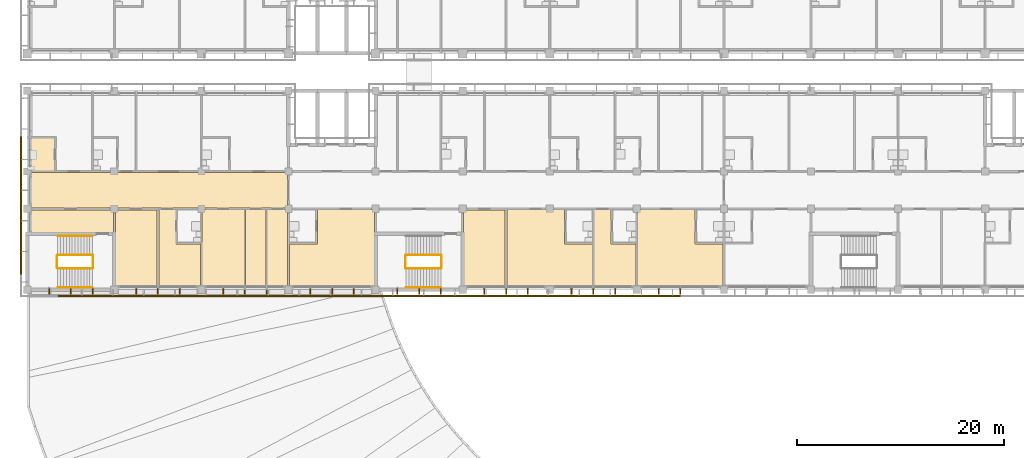
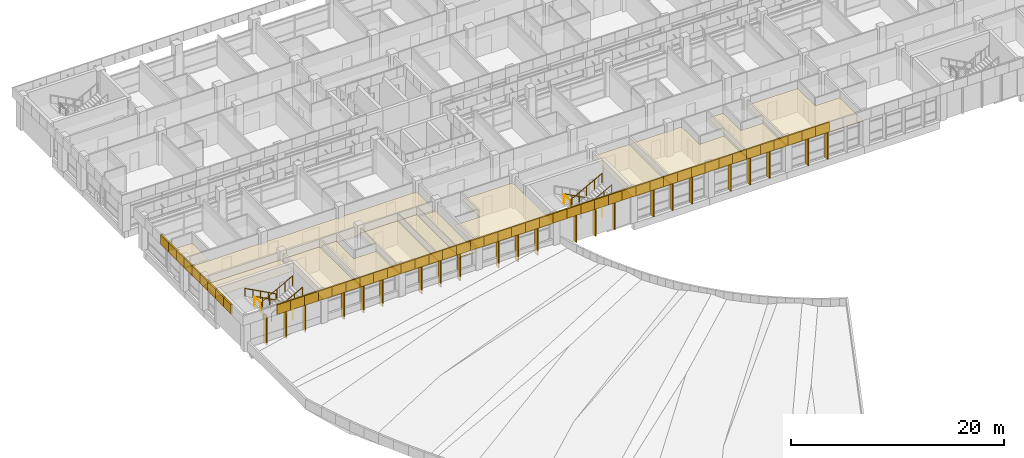
# One storey, part 63 of 74: 62 coverings, 23 shading devices, 11 railings.
"""IFC4 building model written with IfcOpenShell, lengths in metres."""

from ifc_helpers import new_model, si_unit, direction, frame, origin, origin_2d, place, context, subcontext, project, spatial, polyline, rectangle, circle, outline, extrude, material, layer, layer_set, material_profile, profile_set, type_object, element, save


model = new_model("IFC4")

# Units and contexts
model_context = context("Model", 3, precision=1e-05, world=origin(), true_north=direction((0.0, 1.0)))
body_context = subcontext(model_context, "Body", "Model", "MODEL_VIEW")
ifc_project = project(units=[si_unit("LENGTHUNIT", "METRE"), si_unit("AREAUNIT", "SQUARE_METRE"), si_unit("VOLUMEUNIT", "CUBIC_METRE"), si_unit("PLANEANGLEUNIT", "RADIAN"), si_unit("MASSUNIT", "GRAM", prefix="KILO")], contexts=[model_context])

# Site, building, storey
site_placement = place(None, origin())
site = spatial("IfcSite", under=ifc_project, at=site_placement, CompositionType="ELEMENT")
building_placement = place(site_placement, origin())
building = spatial("IfcBuilding", under=site, at=building_placement, Name="Bougainvillea Quay General Hospital", CompositionType="ELEMENT")
storey_placement = place(building_placement, frame((0.0, 0.0, 21.0)))
storey = spatial("IfcBuildingStorey", under=building, at=storey_placement, Name="L04", CompositionType="ELEMENT", Elevation=21.0)

# Coverings
ifc_material_1 = material(Name="Powder-coated aluminium fascia, white", Category="aluminium")
ifc_layer_1 = layer(ifc_material_1, 0.14990234375)
ifc_layer_set_1 = layer_set([ifc_layer_1], Name="Powder-coated aluminium fascia, white")
covering_type_1 = type_object("IfcCoveringType", Name="Aluminium fascia band white 150x1100", PredefinedType="CLADDING", material=ifc_layer_set_1)
covering_1_placement = place(storey_placement, frame((41.449951171875, 132.369140625, 3.35009765625), z_axis=(0.0, 0.0, 1.0), x_axis=(0.0, -1.0, 0.0)))
element("IfcCovering", 1, at=covering_1_placement, inside=storey, type_object=covering_type_1, Name="Fascia band white e0 4", PredefinedType="CLADDING", context=body_context, shape_type="SweptSolid", body=[
    extrude(outline(polyline([(0.0, 0.0), (1.476806640625, 0.0), (1.476806640625, -0.14990234375), (0.0, -0.14990234375), (0.0, 0.0)])), origin(), (0.0, 0.0, 1.0), 1.10009765625),
])
covering_2_placement = place(storey_placement, frame((41.449951171875, 130.892333984375, 3.35009765625), z_axis=(0.0, 0.0, 1.0), x_axis=(0.0, -1.0, 0.0)))
element("IfcCovering", 2, at=covering_2_placement, inside=storey, type_object=covering_type_1, Name="Fascia band white e0 5", PredefinedType="CLADDING", context=body_context, shape_type="SweptSolid", body=[
    extrude(outline(polyline([(0.0, 0.0), (1.47705078125, 0.0), (1.47705078125, -0.14990234375), (0.0, -0.14990234375), (0.0, 0.0)])), origin(), (0.0, 0.0, 1.0), 1.10009765625),
])
covering_3_placement = place(storey_placement, frame((41.449951171875, 129.415283203125, 3.35009765625), z_axis=(0.0, 0.0, 1.0), x_axis=(0.0, -1.0, 0.0)))
element("IfcCovering", 3, at=covering_3_placement, inside=storey, type_object=covering_type_1, Name="Fascia band white e0 6", PredefinedType="CLADDING", context=body_context, shape_type="SweptSolid", body=[
    extrude(outline(polyline([(0.0, 0.0), (1.476806640625, 0.0), (1.476806640625, -0.14990234375), (0.0, -0.14990234375), (0.0, 0.0)])), origin(), (0.0, 0.0, 1.0), 1.10009765625),
])
covering_4_placement = place(storey_placement, frame((41.449951171875, 127.9384765625, 3.35009765625), z_axis=(0.0, 0.0, 1.0), x_axis=(0.0, -1.0, 0.0)))
element("IfcCovering", 4, at=covering_4_placement, inside=storey, type_object=covering_type_1, Name="Fascia band white e0 7", PredefinedType="CLADDING", context=body_context, shape_type="SweptSolid", body=[
    extrude(outline(polyline([(0.0, 0.0), (1.47705078125, 0.0), (1.47705078125, -0.14990234375), (0.0, -0.14990234375), (0.0, 0.0)])), origin(), (0.0, 0.0, 1.0), 1.10009765625),
])
for number, where, z_axis, x_axis, name in (
    (5, (41.449951171875, 126.46142578125, 3.35009765625), (0.0, 0.0, 1.0), (0.0, -1.0, 0.0), "Fascia band white e0 8"),
    (6, (41.449951171875, 124.984619140625, 3.35009765625), (0.0, 0.0, 1.0), (0.0, -1.0, 0.0), "Fascia band white e0 9"),
):
    element("IfcCovering", number, at=place(storey_placement, frame(where, z_axis=z_axis, x_axis=x_axis)), inside=storey, type_object=covering_type_1, Name=name, PredefinedType="CLADDING", context=body_context, shape_type="SweptSolid", body=[
        extrude(outline(polyline([(0.0, 0.0), (1.476806640625, 0.0), (1.476806640625, -0.14990234375), (0.0, -0.14990234375), (0.0, 0.0)])), origin(), (0.0, 0.0, 1.0), 1.10009765625),
    ])
covering_5_placement = place(storey_placement, frame((41.449951171875, 123.5078125, 3.35009765625), z_axis=(0.0, 0.0, 1.0), x_axis=(0.0, -1.0, 0.0)))
element("IfcCovering", 7, at=covering_5_placement, inside=storey, type_object=covering_type_1, Name="Fascia band white e0 10", PredefinedType="CLADDING", context=body_context, shape_type="SweptSolid", body=[
    extrude(outline(polyline([(0.0, 0.0), (1.47705078125, 0.0), (1.47705078125, -0.14990234375), (0.0, -0.14990234375), (0.0, 0.0)])), origin(), (0.0, 0.0, 1.0), 1.10009765625),
])
covering_6_placement = place(storey_placement, frame((41.449951171875, 122.03076171875, 3.35009765625), z_axis=(0.0, 0.0, 1.0), x_axis=(0.0, -1.0, 0.0)))
element("IfcCovering", 8, at=covering_6_placement, inside=storey, type_object=covering_type_1, Name="Fascia band white e0 11", PredefinedType="CLADDING", context=body_context, shape_type="SweptSolid", body=[
    extrude(outline(polyline([(0.0, 0.0), (1.476806640625, 0.0), (1.476806640625, -0.14990234375), (0.0, -0.14990234375), (0.0, 0.0)])), origin(), (0.0, 0.0, 1.0), 1.10009765625),
])
covering_7_placement = place(storey_placement, frame((41.449951171875, 120.553955078125, 3.35009765625), z_axis=(0.0, 0.0, 1.0), x_axis=(0.0, -1.0, 0.0)))
element("IfcCovering", 9, at=covering_7_placement, inside=storey, type_object=covering_type_1, Name="Fascia band white e0 12", PredefinedType="CLADDING", context=body_context, shape_type="SweptSolid", body=[
    extrude(outline(polyline([(0.0, 0.0), (1.47705078125, 0.0), (1.47705078125, -0.14990234375), (0.0, -0.14990234375), (0.0, 0.0)])), origin(), (0.0, 0.0, 1.0), 1.10009765625),
])
for number, where, z_axis, x_axis, name in (
    (10, (45.0, 117.050048828125, 3.35009765625), (0.0, 0.0, 1.0), (1.0, 0.0, 0.0), "Fascia band white e0 16"),
    (11, (46.5, 117.050048828125, 3.35009765625), (0.0, 0.0, 1.0), (1.0, 0.0, 0.0), "Fascia band white e0 17"),
    (12, (48.0, 117.050048828125, 3.35009765625), (0.0, 0.0, 1.0), (1.0, 0.0, 0.0), "Fascia band white e0 18"),
    (13, (49.5, 117.050048828125, 3.35009765625), (0.0, 0.0, 1.0), (1.0, 0.0, 0.0), "Fascia band white e0 19"),
    (14, (51.0, 117.050048828125, 3.35009765625), (0.0, 0.0, 1.0), (1.0, 0.0, 0.0), "Fascia band white e0 20"),
    (15, (52.5, 117.050048828125, 3.35009765625), (0.0, 0.0, 1.0), (1.0, 0.0, 0.0), "Fascia band white e0 21"),
    (16, (54.0, 117.050048828125, 3.35009765625), (0.0, 0.0, 1.0), (1.0, 0.0, 0.0), "Fascia band white e0 22"),
    (17, (55.5, 117.050048828125, 3.35009765625), (0.0, 0.0, 1.0), (1.0, 0.0, 0.0), "Fascia band white e0 23"),
    (18, (57.0, 117.050048828125, 3.35009765625), (0.0, 0.0, 1.0), (1.0, 0.0, 0.0), "Fascia band white e0 24"),
    (19, (58.5, 117.050048828125, 3.35009765625), (0.0, 0.0, 1.0), (1.0, 0.0, 0.0), "Fascia band white e0 25"),
    (20, (60.0, 117.050048828125, 3.35009765625), (0.0, 0.0, 1.0), (1.0, 0.0, 0.0), "Fascia band white e0 26"),
    (21, (61.5, 117.050048828125, 3.35009765625), (0.0, 0.0, 1.0), (1.0, 0.0, 0.0), "Fascia band white e0 27"),
    (22, (63.0, 117.050048828125, 3.35009765625), (0.0, 0.0, 1.0), (1.0, 0.0, 0.0), "Fascia band white e0 28"),
    (23, (64.5, 117.050048828125, 3.35009765625), (0.0, 0.0, 1.0), (1.0, 0.0, 0.0), "Fascia band white e0 29"),
    (24, (66.0, 117.050048828125, 3.35009765625), (0.0, 0.0, 1.0), (1.0, 0.0, 0.0), "Fascia band white e0 30"),
    (25, (67.5, 117.050048828125, 3.35009765625), (0.0, 0.0, 1.0), (1.0, 0.0, 0.0), "Fascia band white e0 31"),
    (26, (69.0, 117.050048828125, 3.35009765625), (0.0, 0.0, 1.0), (1.0, 0.0, 0.0), "Fascia band white e0 32"),
    (27, (70.5, 117.050048828125, 3.35009765625), (0.0, 0.0, 1.0), (1.0, 0.0, 0.0), "Fascia band white e0 33"),
    (28, (72.0, 117.050048828125, 3.35009765625), (0.0, 0.0, 1.0), (1.0, 0.0, 0.0), "Fascia band white e0 34"),
    (29, (73.5, 117.050048828125, 3.35009765625), (0.0, 0.0, 1.0), (1.0, 0.0, 0.0), "Fascia band white e0 35"),
    (30, (75.0, 117.050048828125, 3.35009765625), (0.0, 0.0, 1.0), (1.0, 0.0, 0.0), "Fascia band white e0 36"),
    (31, (76.5, 117.050048828125, 3.35009765625), (0.0, 0.0, 1.0), (1.0, 0.0, 0.0), "Fascia band white e0 37"),
    (32, (78.0, 117.050048828125, 3.35009765625), (0.0, 0.0, 1.0), (1.0, 0.0, 0.0), "Fascia band white e0 38"),
    (33, (79.5, 117.050048828125, 3.35009765625), (0.0, 0.0, 1.0), (1.0, 0.0, 0.0), "Fascia band white e0 39"),
    (34, (81.0, 117.050048828125, 3.35009765625), (0.0, 0.0, 1.0), (1.0, 0.0, 0.0), "Fascia band white e0 40"),
    (35, (82.5, 117.050048828125, 3.35009765625), (0.0, 0.0, 1.0), (1.0, 0.0, 0.0), "Fascia band white e0 41"),
    (36, (84.0, 117.050048828125, 3.35009765625), (0.0, 0.0, 1.0), (1.0, 0.0, 0.0), "Fascia band white e0 42"),
    (37, (85.5, 117.050048828125, 3.35009765625), (0.0, 0.0, 1.0), (1.0, 0.0, 0.0), "Fascia band white e0 43"),
    (38, (87.0, 117.050048828125, 3.35009765625), (0.0, 0.0, 1.0), (1.0, 0.0, 0.0), "Fascia band white e0 44"),
    (39, (88.5, 117.050048828125, 3.35009765625), (0.0, 0.0, 1.0), (1.0, 0.0, 0.0), "Fascia band white e0 45"),
    (40, (90.0, 117.050048828125, 3.35009765625), (0.0, 0.0, 1.0), (1.0, 0.0, 0.0), "Fascia band white e0 46"),
    (41, (91.5, 117.050048828125, 3.35009765625), (0.0, 0.0, 1.0), (1.0, 0.0, 0.0), "Fascia band white e0 47"),
    (42, (93.0, 117.050048828125, 3.35009765625), (0.0, 0.0, 1.0), (1.0, 0.0, 0.0), "Fascia band white e0 48"),
    (43, (94.5, 117.050048828125, 3.35009765625), (0.0, 0.0, 1.0), (1.0, 0.0, 0.0), "Fascia band white e0 49"),
    (44, (96.0, 117.050048828125, 3.35009765625), (0.0, 0.0, 1.0), (1.0, 0.0, 0.0), "Fascia band white e0 50"),
    (45, (97.5, 117.050048828125, 3.35009765625), (0.0, 0.0, 1.0), (1.0, 0.0, 0.0), "Fascia band white e0 51"),
    (46, (99.0, 117.050048828125, 3.35009765625), (0.0, 0.0, 1.0), (1.0, 0.0, 0.0), "Fascia band white e0 52"),
    (47, (100.5, 117.050048828125, 3.35009765625), (0.0, 0.0, 1.0), (1.0, 0.0, 0.0), "Fascia band white e0 53"),
    (48, (102.0, 117.050048828125, 3.35009765625), (0.0, 0.0, 1.0), (1.0, 0.0, 0.0), "Fascia band white e0 54"),
    (49, (103.5, 117.050048828125, 3.35009765625), (0.0, 0.0, 1.0), (1.0, 0.0, 0.0), "Fascia band white e0 55"),
):
    element("IfcCovering", number, at=place(storey_placement, frame(where, z_axis=z_axis, x_axis=x_axis)), inside=storey, type_object=covering_type_1, Name=name, PredefinedType="CLADDING", context=body_context, shape_type="SweptSolid", body=[
        extrude(outline(polyline([(0.0, 0.0), (1.5, 0.0), (1.5, -0.150146484375), (0.0, -0.150146484375), (0.0, 0.0)])), origin(), (0.0, 0.0, 1.0), 1.10009765625),
    ])

# Railings
ifc_material_2 = material(Name="Stainless steel 304 balustrade", Category="steel")
railing_type_1 = type_object("IfcRailingType", Name="Stair guard 1100", PredefinedType="GUARDRAIL", material=ifc_material_2)
railing_1_placement = place(storey_placement, frame((48.300048828125, 120.949951171875, 0.14990234375)))
element("IfcRailing", 50, at=railing_1_placement, inside=storey, type_object=railing_type_1, Name="L04 ST-B1 stair guard 1", PredefinedType="GUARDRAIL", context=body_context, shape_type="SweptSolid", body=[
    extrude(circle(Radius=0.02392578125, at=origin_2d()), frame((0.0, 0.0, 1.076171875), z_axis=(-0.881480922165, 0.0, 0.47221963519), x_axis=(0.0, -1.0, 0.0)), (0.0, 0.0, 1.0), 3.811767578125),
    extrude(circle(Radius=0.02099609375, at=origin_2d()), origin(), (0.0, 0.0, 1.0), 1.052001953125),
    extrude(circle(Radius=0.02099609375, at=origin_2d()), frame((-0.840087890625, 0.0, 0.449951171875)), (0.0, 0.0, 1.0), 1.052001953125),
    extrude(circle(Radius=0.02099609375, at=origin_2d()), frame((-1.68017578125, 0.0, 0.89990234375)), (0.0, 0.0, 1.0), 1.052001953125),
    extrude(circle(Radius=0.02099609375, at=origin_2d()), frame((-2.52001953125, 0.0, 1.35009765625)), (0.0, 0.0, 1.0), 1.052001953125),
    extrude(circle(Radius=0.02099609375, at=origin_2d()), frame((-3.360107421875, 0.0, 1.800048828125)), (0.0, 0.0, 1.0), 1.052001953125),
])
railing_2_placement = place(storey_placement, frame((44.889892578125, 120.89990234375, 1.949951171875)))
element("IfcRailing", 51, at=railing_2_placement, inside=storey, type_object=railing_type_1, Name="L04 ST-B1 stair guard 2", PredefinedType="GUARDRAIL", context=body_context, shape_type="SweptSolid", body=[
    extrude(circle(Radius=0.02392578125, at=origin_2d()), frame((0.0, 0.0, 1.076171875), z_axis=(0.0, -1.0, 0.0), x_axis=(1.0, 0.0, 0.0)), (0.0, 0.0, 1.0), 1.199951171875),
    extrude(circle(Radius=0.02099609375, at=origin_2d()), origin(), (0.0, 0.0, 1.0), 1.052001953125),
    extrude(circle(Radius=0.02099609375, at=origin_2d()), frame((0.0, -1.199951171875, 0.0)), (0.0, 0.0, 1.0), 1.052001953125),
])
railing_3_placement = place(storey_placement, frame((44.93994140625, 119.64990234375, 2.10009765625)))
element("IfcRailing", 52, at=railing_3_placement, inside=storey, type_object=railing_type_1, Name="L04 ST-B1 stair guard 3", PredefinedType="GUARDRAIL", context=body_context, shape_type="SweptSolid", body=[
    extrude(circle(Radius=0.02392578125, at=origin_2d()), frame((0.0, 0.0, 1.076171875), z_axis=(0.881507581359, 0.0, 0.472169867745), x_axis=(0.0, 1.0, 0.0)), (0.0, 0.0, 1.0), 3.811767578125),
    extrude(circle(Radius=0.02099609375, at=origin_2d()), origin(), (0.0, 0.0, 1.0), 1.052001953125),
    extrude(circle(Radius=0.02099609375, at=origin_2d()), frame((0.840087890625, 0.0, 0.449951171875)), (0.0, 0.0, 1.0), 1.052001953125),
    extrude(circle(Radius=0.02099609375, at=origin_2d()), frame((1.68017578125, 0.0, 0.89990234375)), (0.0, 0.0, 1.0), 1.052001953125),
    extrude(circle(Radius=0.02099609375, at=origin_2d()), frame((2.52001953125, 0.0, 1.349853515625)), (0.0, 0.0, 1.0), 1.052001953125),
    extrude(circle(Radius=0.02099609375, at=origin_2d()), frame((3.360107421875, 0.0, 1.7998046875)), (0.0, 0.0, 1.0), 1.052001953125),
])
railing_4_placement = place(storey_placement, frame((48.35009765625, 120.89990234375, 0.0)))
element("IfcRailing", 53, at=railing_4_placement, inside=storey, type_object=railing_type_1, Name="L04 ST-B1 stair guard 4", PredefinedType="GUARDRAIL", context=body_context, shape_type="SweptSolid", body=[
    extrude(circle(Radius=0.02392578125, at=origin_2d()), frame((0.0, 0.0, 1.076171875), z_axis=(0.0, -1.0, 0.0), x_axis=(1.0, 0.0, 0.0)), (0.0, 0.0, 1.0), 1.199951171875),
    extrude(circle(Radius=0.02099609375, at=origin_2d()), origin(), (0.0, 0.0, 1.0), 1.052001953125),
    extrude(circle(Radius=0.02099609375, at=origin_2d()), frame((0.0, -1.199951171875, 0.0)), (0.0, 0.0, 1.0), 1.052001953125),
])
railing_5_placement = place(storey_placement, frame((81.89990234375, 120.949951171875, 0.14990234375)))
element("IfcRailing", 54, at=railing_5_placement, inside=storey, type_object=railing_type_1, Name="L04 ST-B2 stair guard 1", PredefinedType="GUARDRAIL", context=body_context, shape_type="SweptSolid", body=[
    extrude(circle(Radius=0.02392578125, at=origin_2d()), frame((0.0, 0.0, 1.076171875), z_axis=(-0.881466638993, 0.0, 0.472246296272), x_axis=(0.0, -1.0, 0.0)), (0.0, 0.0, 1.0), 3.811767578125),
    extrude(circle(Radius=0.02099609375, at=origin_2d()), origin(), (0.0, 0.0, 1.0), 1.052001953125),
    extrude(circle(Radius=0.02099609375, at=origin_2d()), frame((-0.83984375, 0.0, 0.449951171875)), (0.0, 0.0, 1.0), 1.052001953125),
    extrude(circle(Radius=0.02099609375, at=origin_2d()), frame((-1.679931640625, 0.0, 0.89990234375)), (0.0, 0.0, 1.0), 1.052001953125),
    extrude(circle(Radius=0.02099609375, at=origin_2d()), frame((-2.52001953125, 0.0, 1.35009765625)), (0.0, 0.0, 1.0), 1.052001953125),
    extrude(circle(Radius=0.02099609375, at=origin_2d()), frame((-3.35986328125, 0.0, 1.800048828125)), (0.0, 0.0, 1.0), 1.052001953125),
])
railing_6_placement = place(storey_placement, frame((78.489990234375, 120.89990234375, 1.949951171875)))
element("IfcRailing", 55, at=railing_6_placement, inside=storey, type_object=railing_type_1, Name="L04 ST-B2 stair guard 2", PredefinedType="GUARDRAIL", context=body_context, shape_type="SweptSolid", body=[
    extrude(circle(Radius=0.02392578125, at=origin_2d()), frame((0.0, 0.0, 1.076171875), z_axis=(0.0, -1.0, 0.0), x_axis=(1.0, 0.0, 0.0)), (0.0, 0.0, 1.0), 1.199951171875),
    extrude(circle(Radius=0.02099609375, at=origin_2d()), origin(), (0.0, 0.0, 1.0), 1.052001953125),
    extrude(circle(Radius=0.02099609375, at=origin_2d()), frame((0.0, -1.199951171875, 0.0)), (0.0, 0.0, 1.0), 1.052001953125),
])
railing_7_placement = place(storey_placement, frame((78.5400390625, 119.64990234375, 2.10009765625)))
element("IfcRailing", 56, at=railing_7_placement, inside=storey, type_object=railing_type_1, Name="L04 ST-B2 stair guard 3", PredefinedType="GUARDRAIL", context=body_context, shape_type="SweptSolid", body=[
    extrude(circle(Radius=0.02392578125, at=origin_2d()), frame((0.0, 0.0, 1.076171875), z_axis=(0.881493300765, 0.0, 0.47219652763), x_axis=(0.0, 1.0, 0.0)), (0.0, 0.0, 1.0), 3.8115234375),
    extrude(circle(Radius=0.02099609375, at=origin_2d()), origin(), (0.0, 0.0, 1.0), 1.052001953125),
    extrude(circle(Radius=0.02099609375, at=origin_2d()), frame((0.83984375, 0.0, 0.449951171875)), (0.0, 0.0, 1.0), 1.052001953125),
    extrude(circle(Radius=0.02099609375, at=origin_2d()), frame((1.679931640625, 0.0, 0.89990234375)), (0.0, 0.0, 1.0), 1.052001953125),
    extrude(circle(Radius=0.02099609375, at=origin_2d()), frame((2.52001953125, 0.0, 1.349853515625)), (0.0, 0.0, 1.0), 1.052001953125),
    extrude(circle(Radius=0.02099609375, at=origin_2d()), frame((3.35986328125, 0.0, 1.7998046875)), (0.0, 0.0, 1.0), 1.052001953125),
])
railing_8_placement = place(storey_placement, frame((81.949951171875, 120.89990234375, 0.0)))
element("IfcRailing", 57, at=railing_8_placement, inside=storey, type_object=railing_type_1, Name="L04 ST-B2 stair guard 4", PredefinedType="GUARDRAIL", context=body_context, shape_type="SweptSolid", body=[
    extrude(circle(Radius=0.02392578125, at=origin_2d()), frame((0.0, 0.0, 1.076171875), z_axis=(0.0, -1.0, 0.0), x_axis=(1.0, 0.0, 0.0)), (0.0, 0.0, 1.0), 1.199951171875),
    extrude(circle(Radius=0.02099609375, at=origin_2d()), origin(), (0.0, 0.0, 1.0), 1.052001953125),
    extrude(circle(Radius=0.02099609375, at=origin_2d()), frame((0.0, -1.199951171875, 0.0)), (0.0, 0.0, 1.0), 1.052001953125),
])
ifc_material_3 = material(Name="Stainless steel 304 handrail", Category="steel")
railing_type_2 = type_object("IfcRailingType", Name="Stair handrail 900", PredefinedType="HANDRAIL", material=ifc_material_3)
railing_9_placement = place(storey_placement, frame((48.300048828125, 122.77490234375, 0.14990234375)))
element("IfcRailing", 58, at=railing_9_placement, inside=storey, type_object=railing_type_2, Name="L04 ST-B1 stair handrail 1", PredefinedType="HANDRAIL", context=body_context, shape_type="SweptSolid", body=[
    extrude(circle(Radius=0.02392578125, at=origin_2d()), frame((0.0, 0.0, 0.8759765625), z_axis=(-0.881480922165, 0.0, 0.47221963519), x_axis=(0.0, -1.0, 0.0)), (0.0, 0.0, 1.0), 3.811767578125),
    extrude(circle(Radius=0.02099609375, at=origin_2d()), origin(), (0.0, 0.0, 1.0), 0.851806640625),
    extrude(circle(Radius=0.02099609375, at=origin_2d()), frame((-0.840087890625, 0.0, 0.449951171875)), (0.0, 0.0, 1.0), 0.851806640625),
    extrude(circle(Radius=0.02099609375, at=origin_2d()), frame((-1.68017578125, 0.0, 0.89990234375)), (0.0, 0.0, 1.0), 0.851806640625),
    extrude(circle(Radius=0.02099609375, at=origin_2d()), frame((-2.52001953125, 0.0, 1.35009765625)), (0.0, 0.0, 1.0), 0.851806640625),
    extrude(circle(Radius=0.02099609375, at=origin_2d()), frame((-3.360107421875, 0.0, 1.800048828125)), (0.0, 0.0, 1.0), 0.851806640625),
])
railing_10_placement = place(storey_placement, frame((44.93994140625, 117.824951171875, 2.10009765625)))
element("IfcRailing", 59, at=railing_10_placement, inside=storey, type_object=railing_type_2, Name="L04 ST-B1 stair handrail 2", PredefinedType="HANDRAIL", context=body_context, shape_type="SweptSolid", body=[
    extrude(circle(Radius=0.02392578125, at=origin_2d()), frame((0.0, 0.0, 0.8759765625), z_axis=(0.881507581359, 0.0, 0.472169867745), x_axis=(0.0, 1.0, 0.0)), (0.0, 0.0, 1.0), 3.811767578125),
    extrude(circle(Radius=0.02099609375, at=origin_2d()), origin(), (0.0, 0.0, 1.0), 0.851806640625),
    extrude(circle(Radius=0.02099609375, at=origin_2d()), frame((0.840087890625, 0.0, 0.449951171875)), (0.0, 0.0, 1.0), 0.851806640625),
    extrude(circle(Radius=0.02099609375, at=origin_2d()), frame((1.68017578125, 0.0, 0.89990234375)), (0.0, 0.0, 1.0), 0.851806640625),
    extrude(circle(Radius=0.02099609375, at=origin_2d()), frame((2.52001953125, 0.0, 1.349853515625)), (0.0, 0.0, 1.0), 0.851806640625),
    extrude(circle(Radius=0.02099609375, at=origin_2d()), frame((3.360107421875, 0.0, 1.7998046875)), (0.0, 0.0, 1.0), 0.851806640625),
])
railing_11_placement = place(storey_placement, frame((78.5400390625, 117.824951171875, 2.10009765625)))
element("IfcRailing", 60, at=railing_11_placement, inside=storey, type_object=railing_type_2, Name="L04 ST-B2 stair handrail 2", PredefinedType="HANDRAIL", context=body_context, shape_type="SweptSolid", body=[
    extrude(circle(Radius=0.02392578125, at=origin_2d()), frame((0.0, 0.0, 0.8759765625), z_axis=(0.881493300765, 0.0, 0.47219652763), x_axis=(0.0, 1.0, 0.0)), (0.0, 0.0, 1.0), 3.8115234375),
    extrude(circle(Radius=0.02099609375, at=origin_2d()), origin(), (0.0, 0.0, 1.0), 0.851806640625),
    extrude(circle(Radius=0.02099609375, at=origin_2d()), frame((0.83984375, 0.0, 0.449951171875)), (0.0, 0.0, 1.0), 0.851806640625),
    extrude(circle(Radius=0.02099609375, at=origin_2d()), frame((1.679931640625, 0.0, 0.89990234375)), (0.0, 0.0, 1.0), 0.851806640625),
    extrude(circle(Radius=0.02099609375, at=origin_2d()), frame((2.52001953125, 0.0, 1.349853515625)), (0.0, 0.0, 1.0), 0.851806640625),
    extrude(circle(Radius=0.02099609375, at=origin_2d()), frame((3.35986328125, 0.0, 1.7998046875)), (0.0, 0.0, 1.0), 0.851806640625),
])

# Coverings
ifc_material_4 = material(Name="Mineral fibre ceiling tile")
ifc_layer_2 = layer(ifc_material_4, 0.030029296875)
ifc_layer_set_2 = layer_set([ifc_layer_2], Name="Mineral fibre ceiling tile")
covering_type_2 = type_object("IfcCoveringType", Name="Suspended ceiling mineral fibre tile", PredefinedType="CEILING", material=ifc_layer_set_2)
covering_8_placement = place(storey_placement, frame((0.0, 0.0, 2.699951171875)))
element("IfcCovering", 61, at=covering_8_placement, inside=storey, type_object=covering_type_2, Name="Ceiling Refuge Room RR-B1-L04", PredefinedType="CEILING", context=body_context, shape_type="SweptSolid", body=[
    extrude(outline(polyline([(54.5, 117.60009765625), (54.5, 125.300048828125), (50.5, 125.300048828125), (50.5, 117.60009765625), (54.5, 117.60009765625)])), origin(), (0.0, 0.0, 1.0), 0.030029296875),
])
covering_9_placement = place(storey_placement, frame((0.0, 0.0, 2.699951171875)))
element("IfcCovering", 62, at=covering_9_placement, inside=storey, type_object=covering_type_2, Name="Ceiling Refuge Room RR-B2-L04", PredefinedType="CEILING", context=body_context, shape_type="SweptSolid", body=[
    extrude(outline(polyline([(88.10009765625, 117.60009765625), (88.10009765625, 125.300048828125), (84.10009765625, 125.300048828125), (84.10009765625, 117.60009765625), (88.10009765625, 117.60009765625)])), origin(), (0.0, 0.0, 1.0), 0.030029296875),
])
covering_10_placement = place(storey_placement, frame((0.0, 0.0, 2.699951171875)))
element("IfcCovering", 63, at=covering_10_placement, inside=storey, type_object=covering_type_2, Name="Ceiling Smoke-proof Vestibule ST-B1", PredefinedType="CEILING", context=body_context, shape_type="SweptSolid", body=[
    extrude(outline(polyline([(42.0, 123.10009765625), (50.300048828125, 123.10009765625), (50.300048828125, 125.300048828125), (42.0, 125.300048828125), (42.0, 123.10009765625)])), origin(), (0.0, 0.0, 1.0), 0.030029296875),
])
covering_11_placement = place(storey_placement, frame((0.0, 0.0, 2.39990234375)))
element("IfcCovering", 64, at=covering_11_placement, inside=storey, type_object=covering_type_2, Name="Ceiling En-suite 04B01", PredefinedType="CEILING", context=body_context, shape_type="SweptSolid", body=[
    extrude(outline(polyline([(42.0, 129.074951171875), (44.625, 129.074951171875), (44.625, 132.22509765625), (42.0, 132.22509765625), (42.0, 129.074951171875)])), origin(), (0.0, 0.0, 1.0), 0.030029296875),
])
covering_12_placement = place(storey_placement, frame((0.0, 0.0, 2.699951171875)))
element("IfcCovering", 65, at=covering_12_placement, inside=storey, type_object=covering_type_2, Name="Ceiling Rehabilitation Patient Room 04B05", PredefinedType="CEILING", context=body_context, shape_type="SweptSolid", body=[
    extrude(outline(polyline([(58.72509765625, 117.60009765625), (58.72509765625, 122.02490234375), (56.324951171875, 122.02490234375), (56.324951171875, 125.324951171875), (54.699951171875, 125.324951171875), (54.699951171875, 117.60009765625), (58.72509765625, 117.60009765625)])), origin(), (0.0, 0.0, 1.0), 0.030029296875),
])
covering_13_placement = place(storey_placement, frame((0.0, 0.0, 2.699951171875)))
element("IfcCovering", 66, at=covering_13_placement, inside=storey, type_object=covering_type_2, Name="Ceiling Treatment and Clean Utility Room 04B06", PredefinedType="CEILING", context=body_context, shape_type="SweptSolid", body=[
    extrude(outline(polyline([(62.949951171875, 117.60009765625), (62.949951171875, 125.324951171875), (58.85009765625, 125.324951171875), (58.85009765625, 122.175048828125), (58.875, 122.175048828125), (58.875, 117.60009765625), (62.949951171875, 117.60009765625)])), origin(), (0.0, 0.0, 1.0), 0.030029296875),
])
covering_14_placement = place(storey_placement, frame((0.0, 0.0, 2.699951171875)))
element("IfcCovering", 67, at=covering_14_placement, inside=storey, type_object=covering_type_2, Name="Ceiling Dirty Utility and Sluice Room 04B07", PredefinedType="CEILING", context=body_context, shape_type="SweptSolid", body=[
    extrude(outline(polyline([(65.050048828125, 117.60009765625), (65.050048828125, 125.324951171875), (63.050048828125, 125.324951171875), (63.050048828125, 117.60009765625), (65.050048828125, 117.60009765625)])), origin(), (0.0, 0.0, 1.0), 0.030029296875),
])
covering_15_placement = place(storey_placement, frame((0.0, 0.0, 2.39990234375)))
element("IfcCovering", 68, at=covering_15_placement, inside=storey, type_object=covering_type_2, Name="Ceiling Cleaners' Store 04B08", PredefinedType="CEILING", context=body_context, shape_type="SweptSolid", body=[
    extrude(outline(polyline([(67.10009765625, 117.60009765625), (67.10009765625, 125.324951171875), (65.14990234375, 125.324951171875), (65.14990234375, 117.60009765625), (67.10009765625, 117.60009765625)])), origin(), (0.0, 0.0, 1.0), 0.030029296875),
])
covering_16_placement = place(storey_placement, frame((0.0, 0.0, 2.699951171875)))
element("IfcCovering", 69, at=covering_16_placement, inside=storey, type_object=covering_type_2, Name="Ceiling Four-bed Ward Room 04B09", PredefinedType="CEILING", context=body_context, shape_type="SweptSolid", body=[
    extrude(outline(polyline([(75.52490234375, 117.60009765625), (75.52490234375, 122.89990234375), (75.5, 122.89990234375), (75.5, 125.324951171875), (69.97509765625, 125.324951171875), (69.97509765625, 122.02490234375), (67.300048828125, 122.02490234375), (67.300048828125, 117.60009765625), (75.52490234375, 117.60009765625)])), origin(), (0.0, 0.0, 1.0), 0.030029296875),
])
covering_17_placement = place(storey_placement, frame((0.0, 0.0, 2.699951171875)))
element("IfcCovering", 70, at=covering_17_placement, inside=storey, type_object=covering_type_2, Name="Ceiling Four-bed Ward Room 04B17", PredefinedType="CEILING", context=body_context, shape_type="SweptSolid", body=[
    extrude(outline(polyline([(96.52490234375, 117.60009765625), (96.52490234375, 122.02490234375), (93.824951171875, 122.02490234375), (93.824951171875, 125.324951171875), (88.300048828125, 125.324951171875), (88.300048828125, 117.60009765625), (96.52490234375, 117.60009765625)])), origin(), (0.0, 0.0, 1.0), 0.030029296875),
])
covering_18_placement = place(storey_placement, frame((0.0, 0.0, 2.699951171875)))
element("IfcCovering", 71, at=covering_18_placement, inside=storey, type_object=covering_type_2, Name="Ceiling Patient Room 04B18", PredefinedType="CEILING", context=body_context, shape_type="SweptSolid", body=[
    extrude(outline(polyline([(100.72509765625, 117.60009765625), (100.72509765625, 122.02490234375), (98.324951171875, 122.02490234375), (98.324951171875, 125.324951171875), (96.675048828125, 125.324951171875), (96.675048828125, 117.60009765625), (100.72509765625, 117.60009765625)])), origin(), (0.0, 0.0, 1.0), 0.030029296875),
])
covering_19_placement = place(storey_placement, frame((0.0, 0.0, 2.699951171875)))
element("IfcCovering", 72, at=covering_19_placement, inside=storey, type_object=covering_type_2, Name="Ceiling Two-bed Patient Room 04B19", PredefinedType="CEILING", context=body_context, shape_type="SweptSolid", body=[
    extrude(outline(polyline([(109.10009765625, 117.60009765625), (109.10009765625, 122.02490234375), (106.425048828125, 122.02490234375), (106.425048828125, 125.324951171875), (100.875, 125.324951171875), (100.875, 117.60009765625), (109.10009765625, 117.60009765625)])), origin(), (0.0, 0.0, 1.0), 0.030029296875),
])
covering_20_placement = place(storey_placement, frame((0.0, 0.0, 2.39990234375)))
element("IfcCovering", 73, at=covering_20_placement, inside=storey, type_object=covering_type_2, Name="Ceiling Ward Corridor B1", PredefinedType="CEILING", context=body_context, shape_type="SweptSolid", body=[
    extrude(outline(polyline([(42.0, 125.5), (54.699951171875, 125.5), (54.699951171875, 125.47509765625), (67.10009765625, 125.47509765625), (67.10009765625, 128.925048828125), (42.0, 128.925048828125), (42.0, 125.5)])), origin(), (0.0, 0.0, 1.0), 0.030029296875),
])

# Shading devices
ifc_material_5 = material(Name="Powder-coated aluminium fin, white", Category="aluminium")
ifc_material_profile = material_profile(ifc_material_5, rectangle(XDim=0.550048828125, YDim=0.10009765625, at=origin_2d()))
ifc_profile_set = profile_set([ifc_material_profile], Name="Powder-coated aluminium fin, white")
shading_device_type = type_object("IfcShadingDeviceType", Name="Vertical fin 550x100", PredefinedType="USERDEFINED", material=ifc_profile_set)
for number, where, z_axis, x_axis, name in (
    (74, (105.0, 117.455078125, 0.0), (0.0, 0.0, 1.0), (0.0, -1.0, 0.0), "Vertical fin V5B L04 01.23"),
    (75, (102.89990234375, 117.455078125, 0.0), (0.0, 0.0, 1.0), (0.0, -1.0, 0.0), "Vertical fin V5B L04 01.24"),
    (76, (98.699951171875, 117.455078125, 0.0), (0.0, 0.0, 1.0), (0.0, -1.0, 0.0), "Vertical fin V5B L04 01.25"),
    (77, (96.60009765625, 117.455078125, 0.0), (0.0, 0.0, 1.0), (0.0, -1.0, 0.0), "Vertical fin V5B L04 01.26"),
    (78, (94.5, 117.455078125, 0.0), (0.0, 0.0, 1.0), (0.0, -1.0, 0.0), "Vertical fin V5B L04 01.27"),
    (79, (90.300048828125, 117.455078125, 0.0), (0.0, 0.0, 1.0), (0.0, -1.0, 0.0), "Vertical fin V5B L04 01.28"),
    (80, (88.199951171875, 117.455078125, 0.0), (0.0, 0.0, 1.0), (0.0, -1.0, 0.0), "Vertical fin V5B L04 01.29"),
    (81, (86.10009765625, 117.455078125, 0.0), (0.0, 0.0, 1.0), (0.0, -1.0, 0.0), "Vertical fin V5B L04 01.30"),
    (82, (81.89990234375, 117.455078125, 0.0), (0.0, 0.0, 1.0), (0.0, -1.0, 0.0), "Vertical fin V5B L04 01.31"),
    (83, (79.800048828125, 117.455078125, 0.0), (0.0, 0.0, 1.0), (0.0, -1.0, 0.0), "Vertical fin V5B L04 01.32"),
    (84, (77.699951171875, 117.455078125, 0.0), (0.0, 0.0, 1.0), (0.0, -1.0, 0.0), "Vertical fin V5B L04 01.33"),
    (85, (73.5, 117.455078125, 0.0), (0.0, 0.0, 1.0), (0.0, -1.0, 0.0), "Vertical fin V5B L04 01.34"),
    (86, (71.39990234375, 117.455078125, 0.0), (0.0, 0.0, 1.0), (0.0, -1.0, 0.0), "Vertical fin V5B L04 01.35"),
    (87, (69.300048828125, 117.455078125, 0.0), (0.0, 0.0, 1.0), (0.0, -1.0, 0.0), "Vertical fin V5B L04 01.36"),
    (88, (65.10009765625, 117.455078125, 0.0), (0.0, 0.0, 1.0), (0.0, -1.0, 0.0), "Vertical fin V5B L04 01.37"),
    (89, (63.0, 117.455078125, 0.0), (0.0, 0.0, 1.0), (0.0, -1.0, 0.0), "Vertical fin V5B L04 01.38"),
    (90, (60.89990234375, 117.455078125, 0.0), (0.0, 0.0, 1.0), (0.0, -1.0, 0.0), "Vertical fin V5B L04 01.39"),
    (91, (56.699951171875, 117.455078125, 0.0), (0.0, 0.0, 1.0), (0.0, -1.0, 0.0), "Vertical fin V5B L04 01.40"),
    (92, (54.60009765625, 117.455078125, 0.0), (0.0, 0.0, 1.0), (0.0, -1.0, 0.0), "Vertical fin V5B L04 01.41"),
    (93, (52.5, 117.455078125, 0.0), (0.0, 0.0, 1.0), (0.0, -1.0, 0.0), "Vertical fin V5B L04 01.42"),
    (94, (48.300048828125, 117.455078125, 0.0), (0.0, 0.0, 1.0), (0.0, -1.0, 0.0), "Vertical fin V5B L04 01.43"),
    (95, (46.199951171875, 117.455078125, 0.0), (0.0, 0.0, 1.0), (0.0, -1.0, 0.0), "Vertical fin V5B L04 01.44"),
    (96, (44.10009765625, 117.455078125, 0.0), (0.0, 0.0, 1.0), (0.0, -1.0, 0.0), "Vertical fin V5B L04 01.45"),
):
    element("IfcShadingDevice", number, at=place(storey_placement, frame(where, z_axis=z_axis, x_axis=x_axis)), inside=storey, type_object=shading_device_type, Name=name, ObjectType="Vertical fin", PredefinedType="USERDEFINED", context=body_context, shape_type="SweptSolid", body=[
        extrude(rectangle(XDim=0.550048828125, YDim=0.10009765625, at=origin_2d()), origin(), (0.0, 0.0, 1.0), 3.330078125),
    ])

save(model, "model.ifc")
